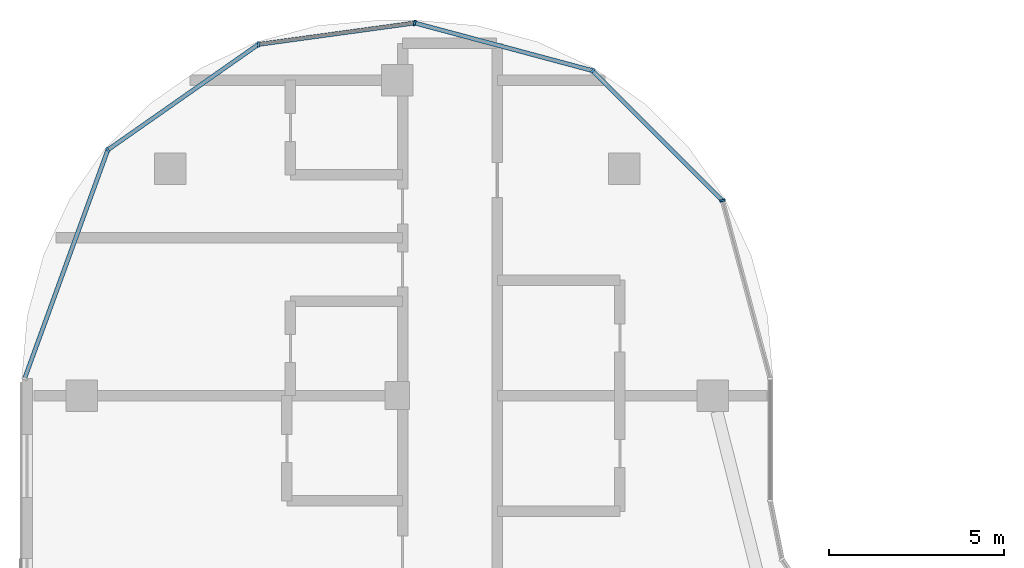
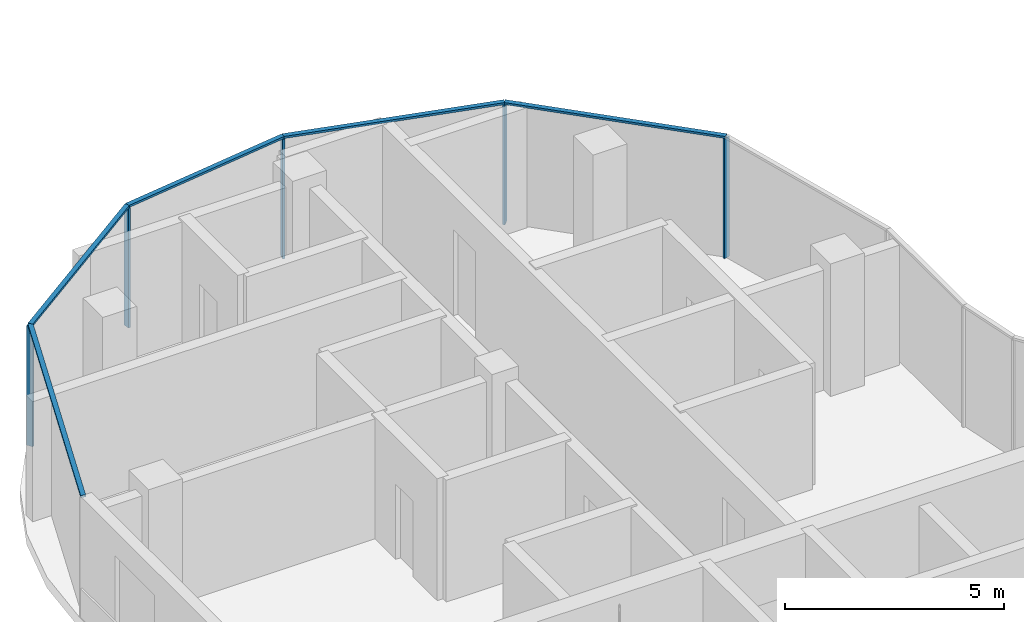
# One storey, part 6 of 19: 10 members, 1 element without a shape of its own.
"""IFC4 building model written with IfcOpenShell, lengths in metres."""

from ifc_helpers import new_model, si_unit, direction, frame, origin, origin_2d, place, context, subcontext, project, spatial, rectangle, extrude, material, material_profile, profile_set, type_object, element, aggregate, save


model = new_model("IFC4")

# Units and contexts
model_context = context("Model", 3, precision=1e-05, world=origin(), true_north=direction((0.0, 1.0)))
body_context = subcontext(model_context, "Body", "Model", "MODEL_VIEW")
ifc_project = project(units=[si_unit("LENGTHUNIT", "METRE"), si_unit("AREAUNIT", "SQUARE_METRE"), si_unit("VOLUMEUNIT", "CUBIC_METRE"), si_unit("PLANEANGLEUNIT", "RADIAN"), si_unit("MASSUNIT", "GRAM", prefix="KILO")], contexts=[model_context])

# Site, building, storey
site_placement = place(None, origin())
site = spatial("IfcSite", under=ifc_project, at=site_placement, CompositionType="ELEMENT")
building_placement = place(site_placement, origin())
building = spatial("IfcBuilding", under=site, at=building_placement, Name="Ogive Portal Towers", CompositionType="ELEMENT")
storey_placement = place(building_placement, frame((0.0, 0.0, 203.199951171875)))
storey = spatial("IfcBuildingStorey", under=building, at=storey_placement, Name="L50", CompositionType="ELEMENT", Elevation=203.199951171875)

# Curtain wall, members
ifc_material_1 = material(Name="Glass, clear low-iron insulated glazing", Category="glass")
curtain_wall_type = type_object("IfcCurtainWallType", Name="CW FRONT RIBBON 4500", PredefinedType="NOTDEFINED", material=ifc_material_1)
curtain_wall_placement = place(storey_placement, origin())
curtain_wall = element("IfcCurtainWall", 1, at=curtain_wall_placement, inside=storey, type_object=curtain_wall_type, Name="A:L50:f19:cwa", PredefinedType="NOTDEFINED")
ifc_material_2 = material(Name="Aluminium 6063 anodised", Category="aluminium")
ifc_material_profile_1 = material_profile(ifc_material_2, rectangle(XDim=0.159912109375, YDim=0.06005859375, at=origin_2d()), Name="AL 60x160")
ifc_profile_set_1 = profile_set([ifc_material_profile_1], Name="Aluminium 6063 anodised")
member_type_1 = type_object("IfcMemberType", Name="CW MULLION 60x160", PredefinedType="MULLION", material=ifc_profile_set_1)
member_1_placement = place(storey_placement, frame((49.774658203125, 54.066162109375, 0.0), z_axis=(0.0, 0.0, 1.0), x_axis=(-0.965925826289, -0.258819045103, 0.0)))
member_1 = element("IfcMember", 2, at=member_1_placement, type_object=member_type_1, Name="mullion", PredefinedType="MULLION", context=body_context, shape_type="SweptSolid", body=[
    extrude(rectangle(XDim=0.159912109375, YDim=0.06005859375, at=origin_2d()), origin(), (0.0, 0.0, 1.0), 3.340087890625),
])
member_2_placement = place(storey_placement, frame((46.066162109375, 57.774658203125, 0.0), z_axis=(0.0, 0.0, 1.0), x_axis=(-0.707106781187, -0.707106781187, 0.0)))
member_2 = element("IfcMember", 3, at=member_2_placement, type_object=member_type_1, Name="mullion", PredefinedType="MULLION", context=body_context, shape_type="SweptSolid", body=[
    extrude(rectangle(XDim=0.159912109375, YDim=0.06005859375, at=origin_2d()), origin(), (0.0, 0.0, 1.0), 3.340087890625),
])
member_3_placement = place(storey_placement, frame((40.994873046875, 59.133544921875, 0.0), z_axis=(0.0, 0.0, 1.0), x_axis=(-0.258819045103, -0.965925826289, 0.0)))
member_3 = element("IfcMember", 4, at=member_3_placement, type_object=member_type_1, Name="mullion", PredefinedType="MULLION", context=body_context, shape_type="SweptSolid", body=[
    extrude(rectangle(XDim=0.159912109375, YDim=0.06005859375, at=origin_2d()), origin(), (0.0, 0.0, 1.0), 3.340087890625),
])
member_4_placement = place(storey_placement, frame((36.536376953125, 58.522216796875, 0.0), z_axis=(0.0, 0.0, 1.0), x_axis=(0.135818290186, -0.990733764465, 0.0)))
member_4 = element("IfcMember", 5, at=member_4_placement, type_object=member_type_1, Name="mullion", PredefinedType="MULLION", context=body_context, shape_type="SweptSolid", body=[
    extrude(rectangle(XDim=0.159912109375, YDim=0.06005859375, at=origin_2d()), origin(), (0.0, 0.0, 1.0), 3.340087890625),
])
member_5_placement = place(storey_placement, frame((32.241455078125, 55.514892578125, 0.0), z_axis=(0.0, 0.0, 1.0), x_axis=(0.573576436351, -0.819152044289, 0.0)))
member_5 = element("IfcMember", 6, at=member_5_placement, type_object=member_type_1, Name="mullion", PredefinedType="MULLION", context=body_context, shape_type="SweptSolid", body=[
    extrude(rectangle(XDim=0.159912109375, YDim=0.06005859375, at=origin_2d()), origin(), (0.0, 0.0, 1.0), 3.340087890625),
])
ifc_material_profile_2 = material_profile(ifc_material_2, rectangle(XDim=0.1201171875, YDim=0.06005859375, at=origin_2d()), Name="AL 120x60")
ifc_profile_set_2 = profile_set([ifc_material_profile_2], Name="Aluminium 6063 anodised")
member_type_2 = type_object("IfcMemberType", Name="CW TRANSOM 60x120", PredefinedType="USERDEFINED", material=ifc_profile_set_2)
member_6_placement = place(storey_placement, frame((49.774658203125, 54.066162109375, 3.3701171875), z_axis=(-0.707106781187, 0.707106781187, 0.0), x_axis=(-0.707106781187, -0.707106781187, 0.0)))
member_6 = element("IfcMember", 7, at=member_6_placement, type_object=member_type_2, Name="transom", ObjectType="TRANSOM", PredefinedType="USERDEFINED", context=body_context, shape_type="SweptSolid", body=[
    extrude(rectangle(XDim=0.1201171875, YDim=0.06005859375, at=origin_2d()), origin(), (0.0, 0.0, 1.0), 5.24462890625),
])
member_7_placement = place(storey_placement, frame((46.066162109375, 57.774658203125, 3.3701171875), z_axis=(-0.965923973482, 0.258825959773, 0.0), x_axis=(-0.258825959773, -0.965923973482, 0.0)))
member_7 = element("IfcMember", 8, at=member_7_placement, type_object=member_type_2, Name="transom", ObjectType="TRANSOM", PredefinedType="USERDEFINED", context=body_context, shape_type="SweptSolid", body=[
    extrude(rectangle(XDim=0.1201171875, YDim=0.06005859375, at=origin_2d()), origin(), (0.0, 0.0, 1.0), 5.250244140625),
])
member_8_placement = place(storey_placement, frame((40.994873046875, 59.133544921875, 3.3701171875), z_axis=(-0.990730199866, -0.135844289808, 0.0), x_axis=(0.135844289808, -0.990730199866, 0.0)))
member_8 = element("IfcMember", 9, at=member_8_placement, type_object=member_type_2, Name="transom", ObjectType="TRANSOM", PredefinedType="USERDEFINED", context=body_context, shape_type="SweptSolid", body=[
    extrude(rectangle(XDim=0.1201171875, YDim=0.06005859375, at=origin_2d()), origin(), (0.0, 0.0, 1.0), 4.500244140625),
])
member_9_placement = place(storey_placement, frame((36.536376953125, 58.522216796875, 3.3701171875), z_axis=(-0.819153160327, -0.57357484248, 0.0), x_axis=(0.57357484248, -0.819153160327, 0.0)))
member_9 = element("IfcMember", 10, at=member_9_placement, type_object=member_type_2, Name="transom", ObjectType="TRANSOM", PredefinedType="USERDEFINED", context=body_context, shape_type="SweptSolid", body=[
    extrude(rectangle(XDim=0.1201171875, YDim=0.06005859375, at=origin_2d()), origin(), (0.0, 0.0, 1.0), 5.2431640625),
])
member_10_placement = place(storey_placement, frame((32.241455078125, 55.514892578125, 3.3701171875), z_axis=(-0.342030817509, -0.939688735632, 0.0), x_axis=(0.939688735632, -0.342030817509, 0.0)))
member_10 = element("IfcMember", 11, at=member_10_placement, type_object=member_type_2, Name="transom", ObjectType="TRANSOM", PredefinedType="USERDEFINED", context=body_context, shape_type="SweptSolid", body=[
    extrude(rectangle(XDim=0.1201171875, YDim=0.06005859375, at=origin_2d()), origin(), (0.0, 0.0, 1.0), 6.947998046875),
])
aggregate(curtain_wall, [member_6, member_7, member_8, member_9, member_10, member_1, member_2, member_3, member_4, member_5])

save(model, "model.ifc")
